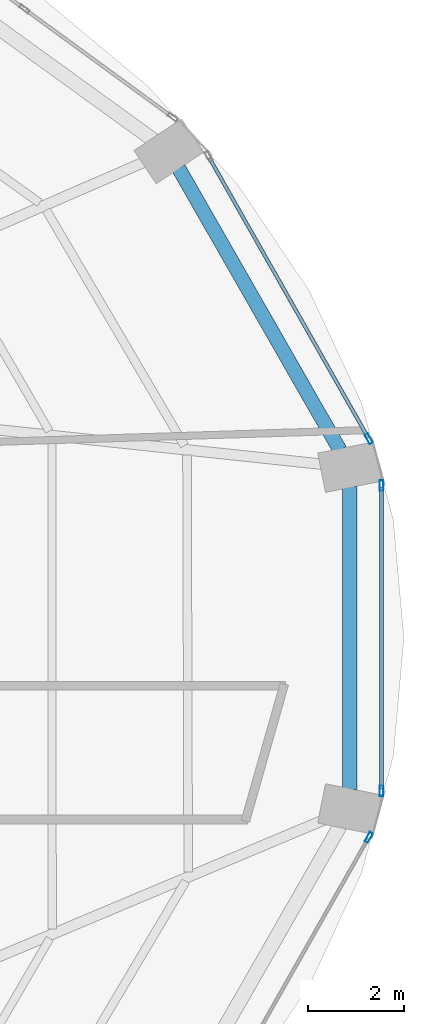
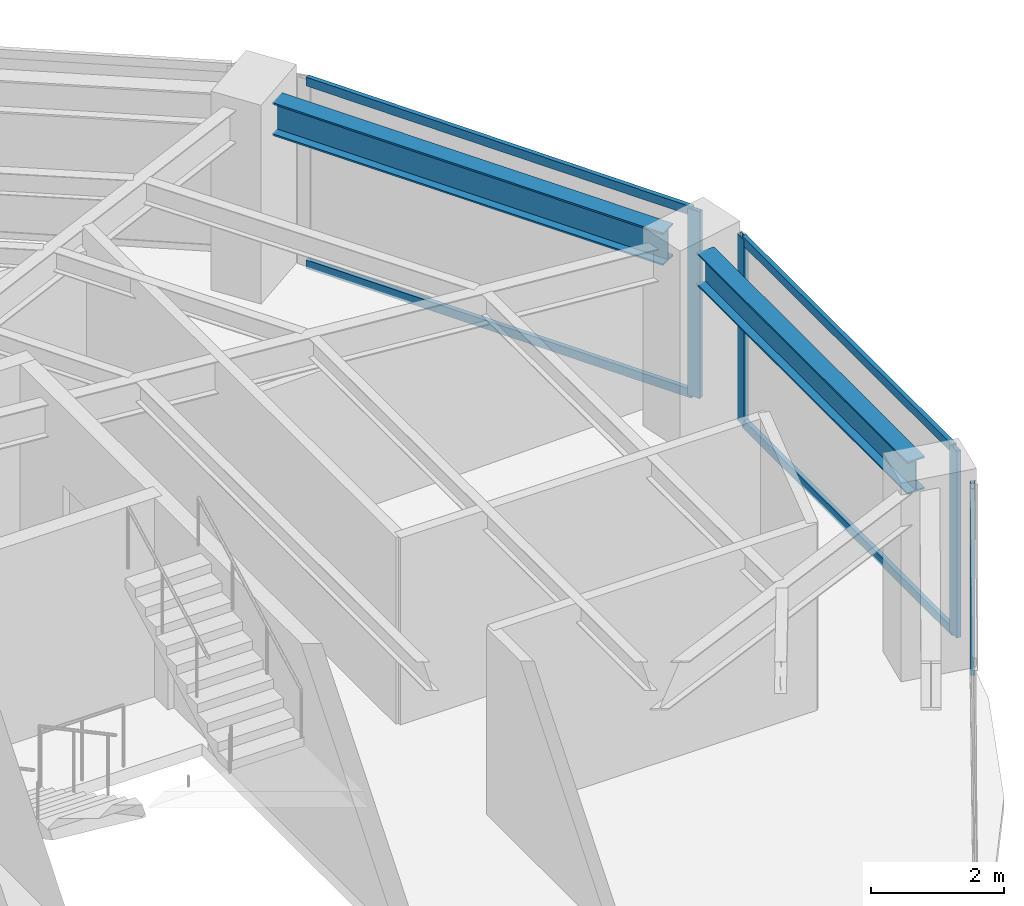
# One storey, part 13 of 23: 8 members, 2 beams, 3 elements without a shape of their own.
"""IFC4 building model written with IfcOpenShell, lengths in metres."""

from ifc_helpers import new_model, si_unit, direction, frame, origin, origin_2d, place, context, subcontext, project, spatial, hollow_rectangle, i_section, extrude, material, layer, layer_set, material_profile, profile_set, type_object, element, aggregate, save


model = new_model("IFC4")

# Units and contexts
model_context = context("Model", 3, precision=1e-05, world=origin(), true_north=direction((0.0, 1.0)))
body_context = subcontext(model_context, "Body", "Model", "MODEL_VIEW")
ifc_project = project(units=[si_unit("LENGTHUNIT", "METRE"), si_unit("AREAUNIT", "SQUARE_METRE"), si_unit("VOLUMEUNIT", "CUBIC_METRE"), si_unit("PLANEANGLEUNIT", "RADIAN"), si_unit("MASSUNIT", "GRAM", prefix="KILO")], contexts=[model_context])

# Site, building, storey
site_placement = place(None, origin())
site = spatial("IfcSite", under=ifc_project, at=site_placement, CompositionType="ELEMENT")
building_placement = place(site_placement, origin())
building = spatial("IfcBuilding", under=site, at=building_placement, Name="Lazwardi Medical Tower", CompositionType="ELEMENT")
storey_placement = place(building_placement, frame((0.0, 0.0, 121.8720703125)))
storey = spatial("IfcBuildingStorey", under=building, at=storey_placement, Name="L31", CompositionType="ELEMENT", Elevation=121.8720703125)

# Beams
ifc_material_1 = material(Name="Steel S355", Category="steel")
ifc_material_profile_1 = material_profile(ifc_material_1, i_section(OverallWidth=0.300048828125, OverallDepth=0.60009765625, WebThickness=0.015380859375, FlangeThickness=0.030029296875, at=origin_2d()), Name="HEB 600")
ifc_profile_set_1 = profile_set([ifc_material_profile_1], Name="Steel S355")
beam_type = type_object("IfcBeamType", Name="BM-RB-Z2", PredefinedType="BEAM", material=ifc_profile_set_1)
beam_1_placement = place(storey_placement, frame((60.86279296875, 27.22998046875, 3.1279296875), z_axis=(0.0, 1.0, 0.0), x_axis=(-1.0, 0.0, 0.0)))
element("IfcBeam", 1, at=beam_1_placement, inside=storey, type_object=beam_type, Name="Ring beam RB-03 B04 L31", PredefinedType="BEAM", context=body_context, shape_type="SweptSolid", body=[
    extrude(i_section(OverallWidth=0.300048828125, OverallDepth=0.60009765625, WebThickness=0.015380859375, FlangeThickness=0.030029296875, at=origin_2d()), origin(), (0.0, 0.0, 1.0), 6.33984375),
])
beam_2_placement = place(storey_placement, frame((60.6591796875, 34.335693359375, 3.1279296875), z_axis=(-0.496637551254, 0.867958030486, 0.0), x_axis=(-0.867958030486, -0.496637551254, 0.0)))
element("IfcBeam", 2, at=beam_2_placement, inside=storey, type_object=beam_type, Name="Ring beam RB-03 B05 L31", PredefinedType="BEAM", context=body_context, shape_type="SweptSolid", body=[
    extrude(i_section(OverallWidth=0.300048828125, OverallDepth=0.60009765625, WebThickness=0.015380859375, FlangeThickness=0.030029296875, at=origin_2d()), origin(), (0.0, 0.0, 1.0), 6.801025390625),
])

# Curtain wall, member
ifc_material_2 = material(Name="Anodised bronze aluminium and solar control glazing", Category="aluminium")
ifc_layer = layer(ifc_material_2, 0.195068359375)
ifc_layer_set = layer_set([ifc_layer], Name="Anodised bronze aluminium and solar control glazing")
curtain_wall_type = type_object("IfcCurtainWallType", Name="CW-SYS-03", PredefinedType="NOTDEFINED", material=ifc_layer_set)
curtain_wall_1_placement = place(storey_placement, origin())
curtain_wall_1 = element("IfcCurtainWall", 3, at=curtain_wall_1_placement, inside=storey, type_object=curtain_wall_type, Name="L31 Unitised bronze curtain wall CW-03", PredefinedType="NOTDEFINED")
ifc_material_3 = material(Name="Anodised bronze aluminium", Category="aluminium")
ifc_material_profile_2 = material_profile(ifc_material_3, hollow_rectangle(XDim=0.074951171875, YDim=0.219970703125, WallThickness=0.00390625, at=origin_2d()), Name="ALU-MULLION 220x75x4")
ifc_profile_set_2 = profile_set([ifc_material_profile_2], Name="Anodised bronze aluminium")
member_type_1 = type_object("IfcMemberType", Name="CW-MUL-01", PredefinedType="MULLION", material=ifc_profile_set_2)
member_1_placement = place(storey_placement, frame((61.2626953125, 26.22607421875, 0.0), z_axis=(0.0, 0.0, 1.0), x_axis=(-0.869687265712, 0.493603140041, 0.0)))
member_1 = element("IfcMember", 4, at=member_1_placement, type_object=member_type_1, Name="CW-03 mullion 2", PredefinedType="MULLION", context=body_context, shape_type="SweptSolid", body=[
    extrude(hollow_rectangle(XDim=0.074951171875, YDim=0.219970703125, WallThickness=0.00390625, at=origin_2d()), origin(), (0.0, 0.0, 1.0), 3.427978515625),
])
aggregate(curtain_wall_1, [member_1])

# Curtain wall, members
curtain_wall_2_placement = place(storey_placement, origin())
curtain_wall_2 = element("IfcCurtainWall", 5, at=curtain_wall_2_placement, inside=storey, type_object=curtain_wall_type, Name="L31 Unitised bronze curtain wall CW-03", PredefinedType="NOTDEFINED")
member_2_placement = place(storey_placement, frame((61.528076171875, 27.20263671875, 0.0), z_axis=(0.0, 0.0, 1.0), x_axis=(-1.0, 0.0, 0.0)))
member_2 = element("IfcMember", 6, at=member_2_placement, type_object=member_type_1, Name="CW-03 mullion 1", PredefinedType="MULLION", context=body_context, shape_type="SweptSolid", body=[
    extrude(hollow_rectangle(XDim=0.074951171875, YDim=0.219970703125, WallThickness=0.00390625, at=origin_2d()), origin(), (0.0, 0.0, 1.0), 3.427978515625),
])
member_3_placement = place(storey_placement, frame((61.528076171875, 33.597412109375, 0.0), z_axis=(0.0, 0.0, 1.0), x_axis=(-1.0, 0.0, 0.0)))
member_3 = element("IfcMember", 7, at=member_3_placement, type_object=member_type_1, Name="CW-03 mullion 2", PredefinedType="MULLION", context=body_context, shape_type="SweptSolid", body=[
    extrude(hollow_rectangle(XDim=0.074951171875, YDim=0.219970703125, WallThickness=0.00390625, at=origin_2d()), origin(), (0.0, 0.0, 1.0), 3.427978515625),
])

# Curtain wall, member
curtain_wall_3_placement = place(storey_placement, origin())
curtain_wall_3 = element("IfcCurtainWall", 8, at=curtain_wall_3_placement, inside=storey, type_object=curtain_wall_type, Name="L31 Unitised bronze curtain wall CW-03", PredefinedType="NOTDEFINED")
member_4_placement = place(storey_placement, frame((61.2626953125, 34.57373046875, 0.0), z_axis=(0.0, 0.0, 1.0), x_axis=(-0.869687265712, -0.493603140041, 0.0)))
member_4 = element("IfcMember", 9, at=member_4_placement, type_object=member_type_1, Name="CW-03 mullion 1", PredefinedType="MULLION", context=body_context, shape_type="SweptSolid", body=[
    extrude(hollow_rectangle(XDim=0.074951171875, YDim=0.219970703125, WallThickness=0.00390625, at=origin_2d()), origin(), (0.0, 0.0, 1.0), 3.427978515625),
])

# Member
ifc_material_profile_3 = material_profile(ifc_material_3, hollow_rectangle(XDim=0.074951171875, YDim=0.159912109375, WallThickness=0.00390625, at=origin_2d()), Name="ALU-TRANSOM 160x75x4")
ifc_profile_set_3 = profile_set([ifc_material_profile_3], Name="Anodised bronze aluminium")
member_type_2 = type_object("IfcMemberType", Name="CW-TRN-01", PredefinedType="USERDEFINED", material=ifc_profile_set_3)
member_5_placement = place(storey_placement, frame((61.528076171875, 27.239990234375, 0.037353515625), z_axis=(0.0, 1.0, 0.0), x_axis=(-1.0, 0.0, 0.0)))
member_5 = element("IfcMember", 10, at=member_5_placement, type_object=member_type_2, Name="CW-03 transom 1.1", ObjectType="TRANSOM", PredefinedType="USERDEFINED", context=body_context, shape_type="SweptSolid", body=[
    extrude(hollow_rectangle(XDim=0.074951171875, YDim=0.159912109375, WallThickness=0.00390625, at=origin_2d()), origin(), (0.0, 0.0, 1.0), 6.31982421875),
])

member_6_placement = place(storey_placement, frame((61.528076171875, 27.239990234375, 3.390380859375), z_axis=(0.0, 1.0, 0.0), x_axis=(-1.0, 0.0, 0.0)))
member_6 = element("IfcMember", 11, at=member_6_placement, type_object=member_type_2, Name="CW-03 transom 1.2", ObjectType="TRANSOM", PredefinedType="USERDEFINED", context=body_context, shape_type="SweptSolid", body=[
    extrude(hollow_rectangle(XDim=0.074951171875, YDim=0.159912109375, WallThickness=0.00390625, at=origin_2d()), origin(), (0.0, 0.0, 1.0), 6.31982421875),
])

aggregate(curtain_wall_2, [member_2, member_3, member_5, member_6])

member_7_placement = place(storey_placement, frame((61.244140625, 34.6064453125, 0.037353515625), z_axis=(-0.493614427365, 0.869680859337, 0.0), x_axis=(-0.869680859337, -0.493614427365, 0.0)))
member_7 = element("IfcMember", 12, at=member_7_placement, type_object=member_type_2, Name="CW-03 transom 1.1", ObjectType="TRANSOM", PredefinedType="USERDEFINED", context=body_context, shape_type="SweptSolid", body=[
    extrude(hollow_rectangle(XDim=0.074951171875, YDim=0.159912109375, WallThickness=0.00390625, at=origin_2d()), origin(), (0.0, 0.0, 1.0), 6.72314453125),
])

member_8_placement = place(storey_placement, frame((61.244140625, 34.6064453125, 3.390380859375), z_axis=(-0.493614427365, 0.869680859337, 0.0), x_axis=(-0.869680859337, -0.493614427365, 0.0)))
member_8 = element("IfcMember", 13, at=member_8_placement, type_object=member_type_2, Name="CW-03 transom 1.2", ObjectType="TRANSOM", PredefinedType="USERDEFINED", context=body_context, shape_type="SweptSolid", body=[
    extrude(hollow_rectangle(XDim=0.074951171875, YDim=0.159912109375, WallThickness=0.00390625, at=origin_2d()), origin(), (0.0, 0.0, 1.0), 6.72314453125),
])

aggregate(curtain_wall_3, [member_4, member_7, member_8])

save(model, "model.ifc")
